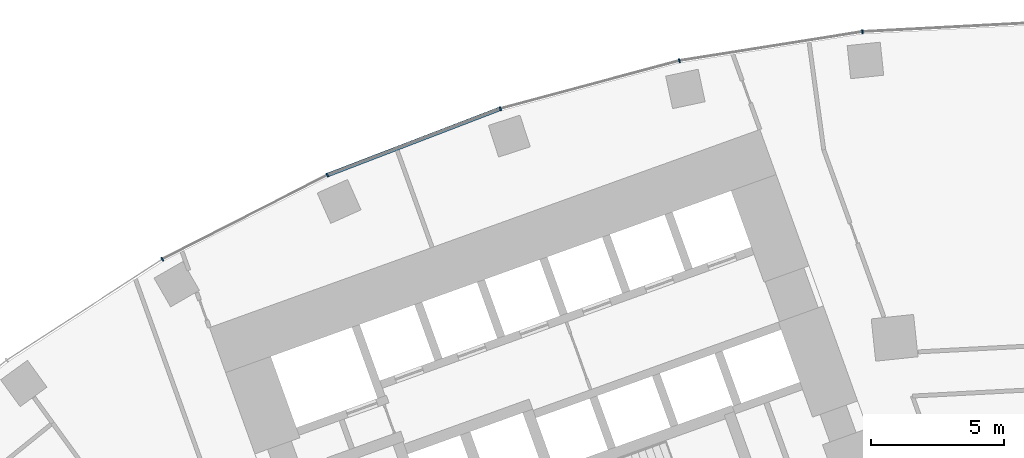
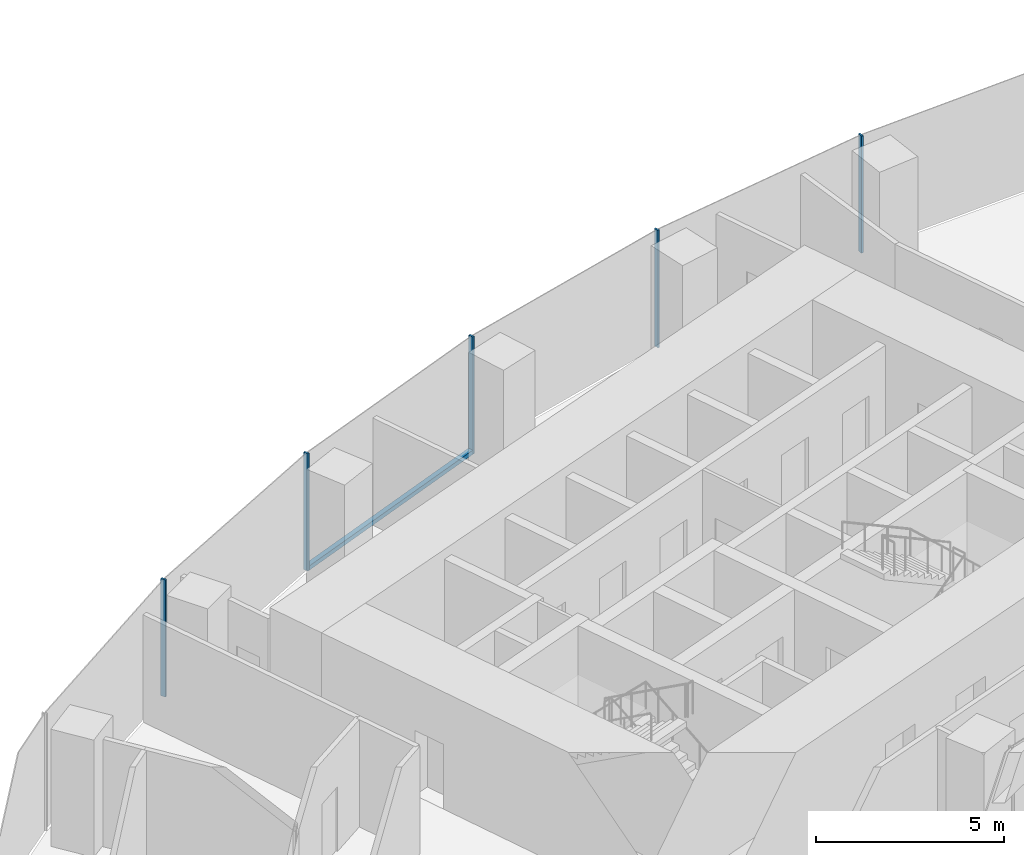
# One storey, part 6 of 21: 6 members, 1 element without a shape of its own.
"""IFC4 building model written with IfcOpenShell, lengths in metres."""

from ifc_helpers import new_model, si_unit, direction, frame, origin, origin_2d, place, context, subcontext, project, spatial, rectangle, extrude, material, layer, layer_set, material_profile, profile_set, type_object, element, aggregate, save


model = new_model("IFC4")

# Units and contexts
model_context = context("Model", 3, precision=1e-05, world=origin(), true_north=direction((0.0, 1.0)))
body_context = subcontext(model_context, "Body", "Model", "MODEL_VIEW")
ifc_project = project(units=[si_unit("LENGTHUNIT", "METRE"), si_unit("AREAUNIT", "SQUARE_METRE"), si_unit("VOLUMEUNIT", "CUBIC_METRE"), si_unit("PLANEANGLEUNIT", "RADIAN"), si_unit("MASSUNIT", "GRAM", prefix="KILO")], contexts=[model_context])

# Site, building, storey
site_placement = place(None, origin())
site = spatial("IfcSite", under=ifc_project, at=site_placement, CompositionType="ELEMENT")
building_placement = place(site_placement, origin())
building = spatial("IfcBuilding", under=site, at=building_placement, Name="Stone Belt Terrace Tower", CompositionType="ELEMENT")
storey_placement = place(building_placement, frame((0.0, 0.0, 49.0)))
storey = spatial("IfcBuildingStorey", under=building, at=storey_placement, Name="L11", CompositionType="ELEMENT", Elevation=49.0)

# Curtain wall, members
ifc_material = material(Name="Aluminium 6063-T6 anodised frame", Category="aluminium")
ifc_layer = layer(ifc_material, 0.14990234375)
ifc_layer_set = layer_set([ifc_layer], Name="CW-A unitised convex-face curtain wall")
curtain_wall_type = type_object("IfcCurtainWallType", Name="CW-A unitised convex-face curtain wall", PredefinedType="NOTDEFINED", material=ifc_layer_set)
curtain_wall_placement = place(storey_placement, origin())
curtain_wall = element("IfcCurtainWall", 1, at=curtain_wall_placement, inside=storey, type_object=curtain_wall_type, Name="CW-A convex face L11", PredefinedType="NOTDEFINED")
ifc_material_profile_1 = material_profile(ifc_material, rectangle(XDim=0.14990234375, YDim=0.06005859375, at=origin_2d()), Name="Aluminium 6063-T6 60x150")
ifc_profile_set_1 = profile_set([ifc_material_profile_1], Name="Aluminium 6063-T6 anodised frame")
member_type_1 = type_object("IfcMemberType", Name="CW-A mullion 60 x 150", PredefinedType="MULLION", material=ifc_profile_set_1)
member_1_placement = place(storey_placement, frame((-6.958984375, 66.21044921875, 0.0), z_axis=(0.0, 0.0, 1.0), x_axis=(0.104528463268, -0.994521895368, 0.0)))
member_1 = element("IfcMember", 2, at=member_1_placement, type_object=member_type_1, Name="CW-A mullion 11", PredefinedType="MULLION", context=body_context, shape_type="SweptSolid", body=[
    extrude(rectangle(XDim=0.14990234375, YDim=0.06005859375, at=origin_2d()), origin(), (0.0, 0.0, 1.0), 3.800048828125),
])
member_2_placement = place(storey_placement, frame((-13.841796875, 65.120361328125, 0.0), z_axis=(0.0, 0.0, 1.0), x_axis=(0.207911690818, -0.978147600734, 0.0)))
member_2 = element("IfcMember", 3, at=member_2_placement, type_object=member_type_1, Name="CW-A mullion 12", PredefinedType="MULLION", context=body_context, shape_type="SweptSolid", body=[
    extrude(rectangle(XDim=0.14990234375, YDim=0.06005859375, at=origin_2d()), origin(), (0.0, 0.0, 1.0), 3.800048828125),
])
member_3_placement = place(storey_placement, frame((-20.57275390625, 63.316650390625, 0.0), z_axis=(0.0, 0.0, 1.0), x_axis=(0.309016994375, -0.951056516295, 0.0)))
member_3 = element("IfcMember", 4, at=member_3_placement, type_object=member_type_1, Name="CW-A mullion 13", PredefinedType="MULLION", context=body_context, shape_type="SweptSolid", body=[
    extrude(rectangle(XDim=0.14990234375, YDim=0.06005859375, at=origin_2d()), origin(), (0.0, 0.0, 1.0), 3.800048828125),
])
member_4_placement = place(storey_placement, frame((-27.07861328125, 60.8193359375, 0.0), z_axis=(0.0, 0.0, 1.0), x_axis=(0.406736643076, -0.913545457643, 0.0)))
member_4 = element("IfcMember", 5, at=member_4_placement, type_object=member_type_1, Name="CW-A mullion 14", PredefinedType="MULLION", context=body_context, shape_type="SweptSolid", body=[
    extrude(rectangle(XDim=0.14990234375, YDim=0.06005859375, at=origin_2d()), origin(), (0.0, 0.0, 1.0), 3.800048828125),
])
member_5_placement = place(storey_placement, frame((-33.28759765625, 57.65576171875, 0.0), z_axis=(0.0, 0.0, 1.0), x_axis=(0.5, -0.866025403784, 0.0)))
member_5 = element("IfcMember", 6, at=member_5_placement, type_object=member_type_1, Name="CW-A mullion 15", PredefinedType="MULLION", context=body_context, shape_type="SweptSolid", body=[
    extrude(rectangle(XDim=0.14990234375, YDim=0.06005859375, at=origin_2d()), origin(), (0.0, 0.0, 1.0), 3.800048828125),
])
ifc_material_profile_2 = material_profile(ifc_material, rectangle(XDim=0.14990234375, YDim=0.139892578125, at=origin_2d()), Name="Aluminium 6063-T6 150x140")
ifc_profile_set_2 = profile_set([ifc_material_profile_2], Name="Aluminium 6063-T6 anodised frame")
member_type_2 = type_object("IfcMemberType", Name="CW-A transom 140 x 150", PredefinedType="USERDEFINED", material=ifc_profile_set_2)
member_6_placement = place(storey_placement, frame((-20.6044921875, 63.304443359375, 0.070068359375), z_axis=(-0.933585210269, -0.358355487146, 0.0), x_axis=(0.358355487146, -0.933585210269, 0.0)))
member_6 = element("IfcMember", 7, at=member_6_placement, type_object=member_type_2, Name="CW-A transom 13.1", ObjectType="TRANSOM", PredefinedType="USERDEFINED", context=body_context, shape_type="SweptSolid", body=[
    extrude(rectangle(XDim=0.14990234375, YDim=0.139892578125, at=origin_2d()), origin(), (0.0, 0.0, 1.0), 6.900634765625),
])
aggregate(curtain_wall, [member_1, member_2, member_3, member_4, member_5, member_6])

save(model, "model.ifc")
